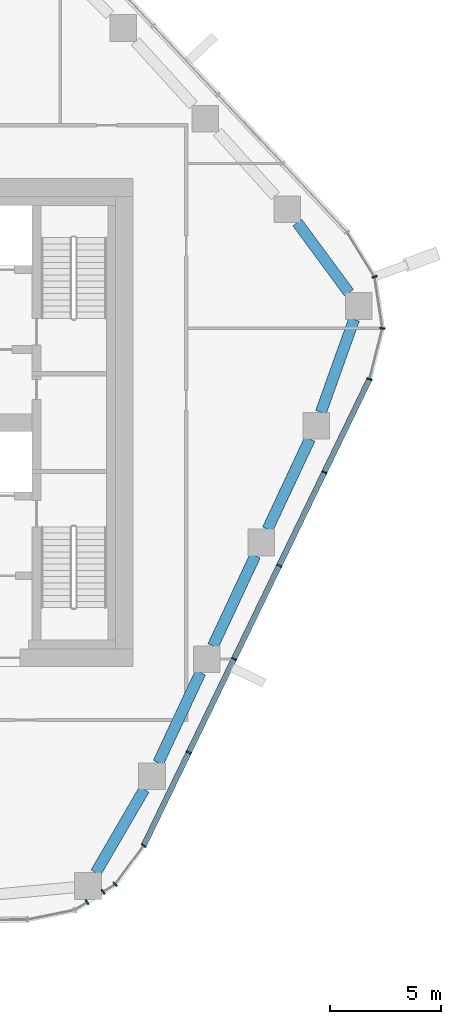
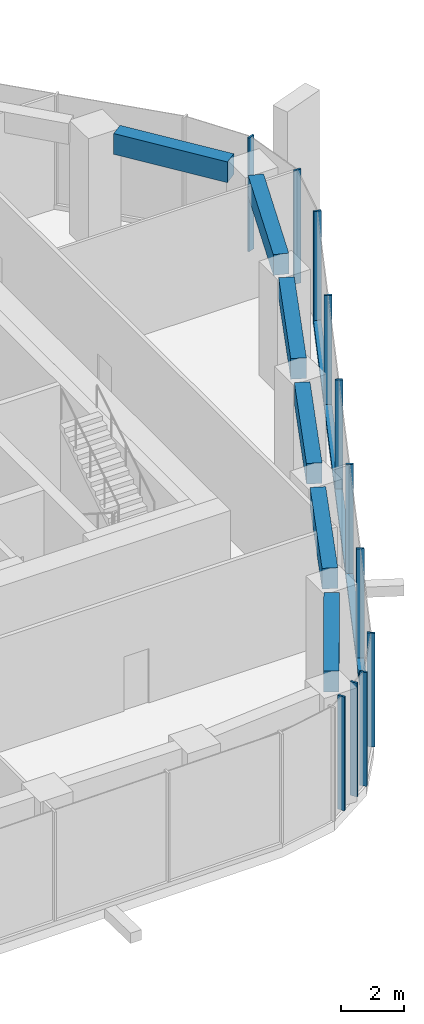
# One storey, part 3 of 16: 12 members, 6 beams, 4 elements without a shape of their own.
"""IFC4 building model written with IfcOpenShell, lengths in metres."""

from ifc_helpers import new_model, si_unit, direction, frame, origin, origin_2d, place, context, subcontext, project, spatial, rectangle, extrude, material, layer, layer_set, material_profile, profile_set, type_object, element, aggregate, save


model = new_model("IFC4")

# Units and contexts
model_context = context("Model", 3, precision=1e-05, world=origin(), true_north=direction((0.0, 1.0)))
body_context = subcontext(model_context, "Body", "Model", "MODEL_VIEW")
ifc_project = project(units=[si_unit("LENGTHUNIT", "METRE"), si_unit("AREAUNIT", "SQUARE_METRE"), si_unit("VOLUMEUNIT", "CUBIC_METRE"), si_unit("PLANEANGLEUNIT", "RADIAN"), si_unit("MASSUNIT", "GRAM", prefix="KILO")], contexts=[model_context])

# Site, building, storey
site_placement = place(None, origin())
site = spatial("IfcSite", under=ifc_project, at=site_placement, CompositionType="ELEMENT")
building_placement = place(site_placement, origin())
building = spatial("IfcBuilding", under=site, at=building_placement, Name="Dongbaek Canopy Tower", CompositionType="ELEMENT")
storey_placement = place(building_placement, frame((0.0, 0.0, 215.60009765625)))
storey = spatial("IfcBuildingStorey", under=building, at=storey_placement, Name="L45", CompositionType="ELEMENT", Elevation=215.60009765625)

# Curtain wall, members
ifc_material_1 = material(Name="Aluminium 6063-T6 pale anodised", Category="aluminium")
ifc_layer = layer(ifc_material_1, 0.25)
ifc_layer_set = layer_set([ifc_layer], Name="CW-4 sky-lobby curtain wall")
curtain_wall_type = type_object("IfcCurtainWallType", Name="CW-4 sky-lobby curtain wall", PredefinedType="NOTDEFINED", material=ifc_layer_set)
curtain_wall_1_placement = place(storey_placement, origin())
curtain_wall_1 = element("IfcCurtainWall", 1, at=curtain_wall_1_placement, inside=storey, type_object=curtain_wall_type, Name="CW-4 curtain wall K0.1", PredefinedType="NOTDEFINED")
ifc_material_2 = material(Name="Aluminium 6063-T6 pale anodised", Category="aluminium")
ifc_material_profile_1 = material_profile(ifc_material_2, rectangle(XDim=0.25, YDim=0.070068359375, at=origin_2d()), Name="CW-4 mullion 70 x 250")
ifc_profile_set_1 = profile_set([ifc_material_profile_1], Name="Aluminium 6063-T6 pale anodised")
member_type_1 = type_object("IfcMemberType", Name="CW-4 mullion 70 x 250", PredefinedType="MULLION", material=ifc_profile_set_1)
member_1_placement = place(storey_placement, frame((24.6591796875, 1.96435546875, 0.0), z_axis=(0.0, 0.0, 1.0), x_axis=(0.968923315143, -0.247361293199, 0.0)))
member_1 = element("IfcMember", 2, at=member_1_placement, type_object=member_type_1, Name="CW-4 mullion K0.1.1", PredefinedType="MULLION", context=body_context, shape_type="SweptSolid", body=[
    extrude(rectangle(XDim=0.25, YDim=0.070068359375, at=origin_2d()), origin(), (0.0, 0.0, 1.0), 4.39990234375),
])
member_2_placement = place(storey_placement, frame((25.24365234375, 4.25390625, 0.0), z_axis=(0.0, 0.0, 1.0), x_axis=(0.998791881462, -0.049140385883, 0.0)))
member_2 = element("IfcMember", 3, at=member_2_placement, type_object=member_type_1, Name="CW-4 mullion K0.1.2", PredefinedType="MULLION", context=body_context, shape_type="SweptSolid", body=[
    extrude(rectangle(XDim=0.25, YDim=0.070068359375, at=origin_2d()), origin(), (0.0, 0.0, 1.0), 4.39990234375),
])
member_3_placement = place(storey_placement, frame((24.88818359375, 6.57958984375, 0.0), z_axis=(0.0, 0.0, 1.0), x_axis=(0.938536223324, 0.345180760631, 0.0)))
member_3 = element("IfcMember", 4, at=member_3_placement, type_object=member_type_1, Name="CW-4 mullion K0.1.3", PredefinedType="MULLION", context=body_context, shape_type="SweptSolid", body=[
    extrude(rectangle(XDim=0.25, YDim=0.070068359375, at=origin_2d()), origin(), (0.0, 0.0, 1.0), 4.39990234375),
])
aggregate(curtain_wall_1, [member_1, member_2, member_3])

# Curtain wall, member
curtain_wall_2_placement = place(storey_placement, origin())
curtain_wall_2 = element("IfcCurtainWall", 5, at=curtain_wall_2_placement, inside=storey, type_object=curtain_wall_type, Name="CW-4 curtain wall K5.1a", PredefinedType="NOTDEFINED")
member_4_placement = place(storey_placement, frame((11.930908203125, -21.61572265625, 0.0), z_axis=(0.0, 0.0, 1.0), x_axis=(0.537672490922, -0.843153777496, 0.0)))
member_4 = element("IfcMember", 6, at=member_4_placement, type_object=member_type_1, Name="CW-4 mullion K5.1a.3", PredefinedType="MULLION", context=body_context, shape_type="SweptSolid", body=[
    extrude(rectangle(XDim=0.25, YDim=0.070068359375, at=origin_2d()), origin(), (0.0, 0.0, 1.0), 4.39990234375),
])
aggregate(curtain_wall_2, [member_4])

# Curtain wall, members
curtain_wall_3_placement = place(storey_placement, origin())
curtain_wall_3 = element("IfcCurtainWall", 7, at=curtain_wall_3_placement, inside=storey, type_object=curtain_wall_type, Name="CW-4 curtain wall K5.1b", PredefinedType="NOTDEFINED")
member_5_placement = place(storey_placement, frame((12.6552734375, -21.153564453125, 0.0), z_axis=(0.0, 0.0, 1.0), x_axis=(0.537672490922, -0.843153777496, 0.0)))
member_5 = element("IfcMember", 8, at=member_5_placement, type_object=member_type_1, Name="CW-4 mullion K5.1b.1", PredefinedType="MULLION", context=body_context, shape_type="SweptSolid", body=[
    extrude(rectangle(XDim=0.25, YDim=0.070068359375, at=origin_2d()), origin(), (0.0, 0.0, 1.0), 4.39990234375),
])
member_6_placement = place(storey_placement, frame((13.196044921875, -20.808837890625, 0.0), z_axis=(0.0, 0.0, 1.0), x_axis=(0.682952982047, -0.730462335999, 0.0)))
member_6 = element("IfcMember", 9, at=member_6_placement, type_object=member_type_1, Name="CW-4 mullion K5.1b.2", PredefinedType="MULLION", context=body_context, shape_type="SweptSolid", body=[
    extrude(rectangle(XDim=0.25, YDim=0.070068359375, at=origin_2d()), origin(), (0.0, 0.0, 1.0), 4.39990234375),
])
member_7_placement = place(storey_placement, frame((14.482666015625, -19.062255859375, 0.0), z_axis=(0.0, 0.0, 1.0), x_axis=(0.805145713484, -0.593077043948, 0.0)))
member_7 = element("IfcMember", 10, at=member_7_placement, type_object=member_type_1, Name="CW-4 mullion K5.1b.3", PredefinedType="MULLION", context=body_context, shape_type="SweptSolid", body=[
    extrude(rectangle(XDim=0.25, YDim=0.070068359375, at=origin_2d()), origin(), (0.0, 0.0, 1.0), 4.39990234375),
])
aggregate(curtain_wall_3, [member_5, member_6, member_7])

curtain_wall_4_placement = place(storey_placement, origin())
curtain_wall_4 = element("IfcCurtainWall", 11, at=curtain_wall_4_placement, inside=storey, type_object=curtain_wall_type, Name="CW-4 curtain wall F5.1", PredefinedType="NOTDEFINED")
member_8_placement = place(storey_placement, frame((16.515625, -14.86181640625, 0.179931640625), z_axis=(0.0, 0.0, 1.0), x_axis=(0.900119864389, -0.435642318573, 0.0)))
member_8 = element("IfcMember", 12, at=member_8_placement, type_object=member_type_1, Name="CW-4 mullion F5.1.2", PredefinedType="MULLION", context=body_context, shape_type="SweptSolid", body=[
    extrude(rectangle(XDim=0.25, YDim=0.070068359375, at=origin_2d()), origin(), (0.0, 0.0, 1.0), 4.219970703125),
])
member_9_placement = place(storey_placement, frame((18.552490234375, -10.653076171875, 0.179931640625), z_axis=(0.0, 0.0, 1.0), x_axis=(0.900119864389, -0.435642318573, 0.0)))
member_9 = element("IfcMember", 13, at=member_9_placement, type_object=member_type_1, Name="CW-4 mullion F5.1.3", PredefinedType="MULLION", context=body_context, shape_type="SweptSolid", body=[
    extrude(rectangle(XDim=0.25, YDim=0.070068359375, at=origin_2d()), origin(), (0.0, 0.0, 1.0), 4.219970703125),
])
member_10_placement = place(storey_placement, frame((20.589599609375, -6.4443359375, 0.179931640625), z_axis=(0.0, 0.0, 1.0), x_axis=(0.900119864389, -0.435642318573, 0.0)))
member_10 = element("IfcMember", 14, at=member_10_placement, type_object=member_type_1, Name="CW-4 mullion F5.1.4", PredefinedType="MULLION", context=body_context, shape_type="SweptSolid", body=[
    extrude(rectangle(XDim=0.25, YDim=0.070068359375, at=origin_2d()), origin(), (0.0, 0.0, 1.0), 4.219970703125),
])
member_11_placement = place(storey_placement, frame((22.62646484375, -2.2353515625, 0.179931640625), z_axis=(0.0, 0.0, 1.0), x_axis=(0.900119864389, -0.435642318573, 0.0)))
member_11 = element("IfcMember", 15, at=member_11_placement, type_object=member_type_1, Name="CW-4 mullion F5.1.5", PredefinedType="MULLION", context=body_context, shape_type="SweptSolid", body=[
    extrude(rectangle(XDim=0.25, YDim=0.070068359375, at=origin_2d()), origin(), (0.0, 0.0, 1.0), 4.219970703125),
])
ifc_material_3 = material(Name="Aluminium 6063-T6 pale anodised", Category="aluminium")
ifc_material_profile_2 = material_profile(ifc_material_3, rectangle(XDim=0.25, YDim=0.179931640625, at=origin_2d()), Name="CW-4 transom 180 x 250")
ifc_profile_set_2 = profile_set([ifc_material_profile_2], Name="Aluminium 6063-T6 pale anodised")
member_type_2 = type_object("IfcMemberType", Name="CW-4 transom 180 x 250", PredefinedType="USERDEFINED", material=ifc_profile_set_2)
member_12_placement = place(storey_placement, frame((14.482666015625, -19.062255859375, 0.08984375), z_axis=(0.435642333815, 0.900119857012, 0.0), x_axis=(-0.900119857012, 0.435642333815, 0.0)))
member_12 = element("IfcMember", 16, at=member_12_placement, type_object=member_type_2, Name="CW-4 transom F5.1.1", ObjectType="TRANSOM", PredefinedType="USERDEFINED", context=body_context, shape_type="SweptSolid", body=[
    extrude(rectangle(XDim=0.25, YDim=0.179931640625, at=origin_2d()), origin(), (0.0, 0.0, 1.0), 23.35986328125),
])
aggregate(curtain_wall_4, [member_8, member_9, member_10, member_11, member_12])

# Beams
ifc_material_4 = material(Name="Concrete C70", Category="concrete")
ifc_material_profile_3 = material_profile(ifc_material_4, rectangle(XDim=0.5, YDim=0.800048828125, at=origin_2d()), Name="RC EDGE BEAM 500x800 C70")
ifc_profile_set_3 = profile_set([ifc_material_profile_3], Name="Concrete C70")
beam_type = type_object("IfcBeamType", Name="RC EDGE BEAM 500x800 C70", PredefinedType="BEAM", material=ifc_profile_set_3)
beam_1_placement = place(storey_placement, frame((21.402587890625, 9.02099609375, 4.0), z_axis=(0.593743199573, -0.804654592332, 0.0), x_axis=(0.804654592332, 0.593743199573, 0.0)))
element("IfcBeam", 17, at=beam_1_placement, inside=storey, type_object=beam_type, Name="EDGEBEAM:L45:20", PredefinedType="BEAM", context=body_context, shape_type="SweptSolid", body=[
    extrude(rectangle(XDim=0.5, YDim=0.800048828125, at=origin_2d()), origin(), (0.0, 0.0, 1.0), 3.93212890625),
])
beam_2_placement = place(storey_placement, frame((23.965576171875, 4.656982421875, 4.0), z_axis=(-0.336398951073, -0.941719568511, 0.0), x_axis=(0.941719568511, -0.336398951073, 0.0)))
element("IfcBeam", 18, at=beam_2_placement, inside=storey, type_object=beam_type, Name="EDGEBEAM:L45:21", PredefinedType="BEAM", context=body_context, shape_type="SweptSolid", body=[
    extrude(rectangle(XDim=0.5, YDim=0.800048828125, at=origin_2d()), origin(), (0.0, 0.0, 1.0), 4.4501953125),
])
beam_3_placement = place(storey_placement, frame((21.972900390625, -0.73388671875, 4.0), z_axis=(-0.424114752544, -0.905608456605, 0.0), x_axis=(0.905608456605, -0.424114752544, 0.0)))
element("IfcBeam", 19, at=beam_3_placement, inside=storey, type_object=beam_type, Name="EDGEBEAM:L45:22", PredefinedType="BEAM", context=body_context, shape_type="SweptSolid", body=[
    extrude(rectangle(XDim=0.5, YDim=0.800048828125, at=origin_2d()), origin(), (0.0, 0.0, 1.0), 4.489013671875),
])
beam_4_placement = place(storey_placement, frame((19.507080078125, -5.9990234375, 4.0), z_axis=(-0.424057758342, -0.905635145956, 0.0), x_axis=(0.905635145956, -0.424057758342, 0.0)))
element("IfcBeam", 20, at=beam_4_placement, inside=storey, type_object=beam_type, Name="EDGEBEAM:L45:23", PredefinedType="BEAM", context=body_context, shape_type="SweptSolid", body=[
    extrude(rectangle(XDim=0.5, YDim=0.800048828125, at=origin_2d()), origin(), (0.0, 0.0, 1.0), 4.49072265625),
])
beam_5_placement = place(storey_placement, frame((17.041015625, -11.26611328125, 4.0), z_axis=(-0.424275059541, -0.905533364295, 0.0), x_axis=(0.905533364295, -0.424275059541, 0.0)))
element("IfcBeam", 21, at=beam_5_placement, inside=storey, type_object=beam_type, Name="EDGEBEAM:L45:24", PredefinedType="BEAM", context=body_context, shape_type="SweptSolid", body=[
    extrude(rectangle(XDim=0.5, YDim=0.800048828125, at=origin_2d()), origin(), (0.0, 0.0, 1.0), 4.489990234375),
])
beam_6_placement = place(storey_placement, frame((14.505859375, -16.531982421875, 4.0), z_axis=(-0.503073799677, -0.864243456486, 0.0), x_axis=(0.864243456486, -0.503073799677, 0.0)))
element("IfcBeam", 22, at=beam_6_placement, inside=storey, type_object=beam_type, Name="EDGEBEAM:L45:25", PredefinedType="BEAM", context=body_context, shape_type="SweptSolid", body=[
    extrude(rectangle(XDim=0.5, YDim=0.800048828125, at=origin_2d()), origin(), (0.0, 0.0, 1.0), 4.342529296875),
])

save(model, "model.ifc")
